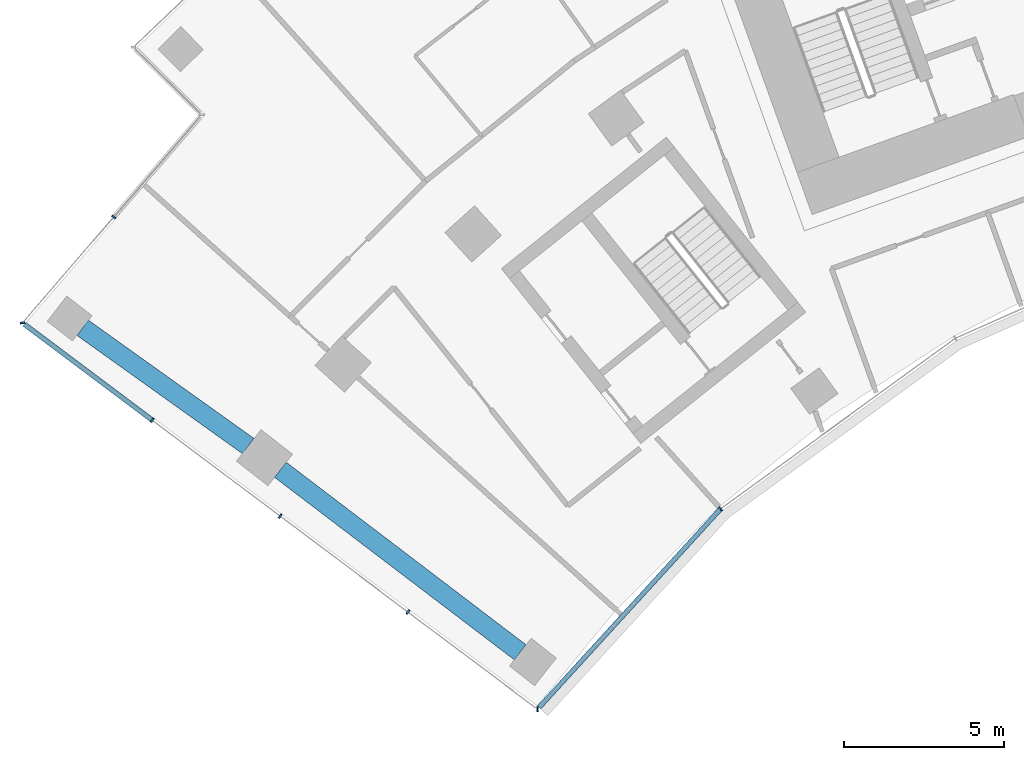
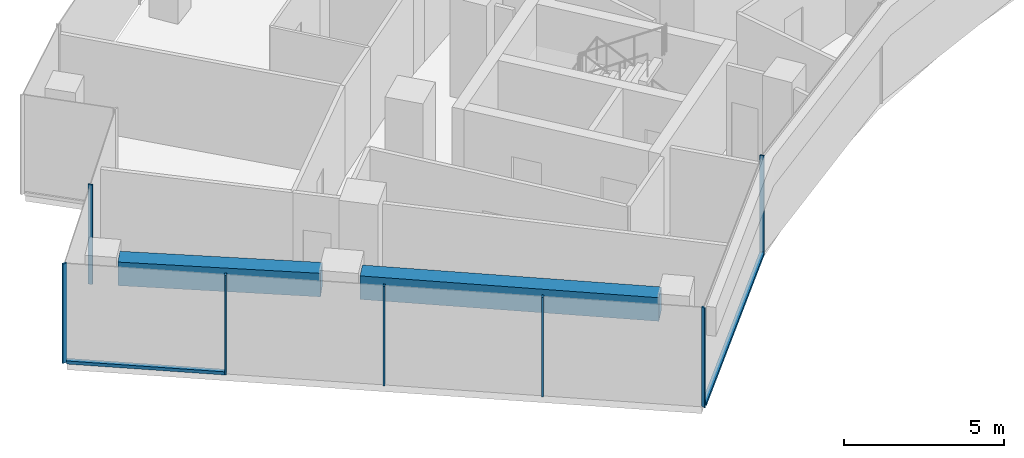
# One storey, part 2 of 21: 9 members, 2 beams, 3 elements without a shape of their own.
"""IFC4 building model written with IfcOpenShell, lengths in metres."""

from ifc_helpers import new_model, si_unit, direction, frame, origin, origin_2d, place, context, subcontext, project, spatial, rectangle, extrude, material, layer, layer_set, material_profile, profile_set, type_object, element, aggregate, save


model = new_model("IFC4")

# Units and contexts
model_context = context("Model", 3, precision=1e-05, world=origin(), true_north=direction((0.0, 1.0)))
body_context = subcontext(model_context, "Body", "Model", "MODEL_VIEW")
ifc_project = project(units=[si_unit("LENGTHUNIT", "METRE"), si_unit("AREAUNIT", "SQUARE_METRE"), si_unit("VOLUMEUNIT", "CUBIC_METRE"), si_unit("PLANEANGLEUNIT", "RADIAN"), si_unit("MASSUNIT", "GRAM", prefix="KILO")], contexts=[model_context])

# Site, building, storey
site_placement = place(None, origin())
site = spatial("IfcSite", under=ifc_project, at=site_placement, CompositionType="ELEMENT")
building_placement = place(site_placement, origin())
building = spatial("IfcBuilding", under=site, at=building_placement, Name="Stone Belt Terrace Tower", CompositionType="ELEMENT")
storey_placement = place(building_placement, frame((0.0, 0.0, 163.0)))
storey = spatial("IfcBuildingStorey", under=building, at=storey_placement, Name="L39", CompositionType="ELEMENT", Elevation=163.0)

# Curtain wall, members
ifc_material_1 = material(Name="Aluminium 6063-T6 anodised frame", Category="aluminium")
ifc_layer_1 = layer(ifc_material_1, 0.14990234375)
ifc_layer_set_1 = layer_set([ifc_layer_1], Name="CW-B unitised concave-face curtain wall")
curtain_wall_type_1 = type_object("IfcCurtainWallType", Name="CW-B unitised concave-face curtain wall", PredefinedType="NOTDEFINED", material=ifc_layer_set_1)
curtain_wall_1_placement = place(storey_placement, origin())
curtain_wall_1 = element("IfcCurtainWall", 1, at=curtain_wall_1_placement, inside=storey, type_object=curtain_wall_type_1, Name="CW-B concave face L39", PredefinedType="NOTDEFINED")
ifc_material_profile_1 = material_profile(ifc_material_1, rectangle(XDim=0.14990234375, YDim=0.050048828125, at=origin_2d()), Name="Aluminium 6063-T6 50x150")
ifc_profile_set_1 = profile_set([ifc_material_profile_1], Name="Aluminium 6063-T6 anodised frame")
member_type_1 = type_object("IfcMemberType", Name="CW-B mullion 50 x 150", PredefinedType="MULLION", material=ifc_profile_set_1)
member_1_placement = place(storey_placement, frame((-34.7900390625, 26.0, 0.0), z_axis=(0.0, 0.0, 1.0), x_axis=(-0.093180581986, 0.995649224949, 0.0)))
member_1 = element("IfcMember", 2, at=member_1_placement, type_object=member_type_1, Name="CW-B mullion 1", PredefinedType="MULLION", context=body_context, shape_type="SweptSolid", body=[
    extrude(rectangle(XDim=0.14990234375, YDim=0.050048828125, at=origin_2d()), origin(), (0.0, 0.0, 1.0), 3.800048828125),
])
member_2_placement = place(storey_placement, frame((-29.056884765625, 32.2705078125, 0.0), z_axis=(0.0, 0.0, 1.0), x_axis=(-0.666300886777, 0.745682994496, 0.0)))
member_2 = element("IfcMember", 3, at=member_2_placement, type_object=member_type_1, Name="CW-B mullion 2", PredefinedType="MULLION", context=body_context, shape_type="SweptSolid", body=[
    extrude(rectangle(XDim=0.14990234375, YDim=0.050048828125, at=origin_2d()), origin(), (0.0, 0.0, 1.0), 3.800048828125),
])
ifc_material_profile_2 = material_profile(ifc_material_1, rectangle(XDim=0.14990234375, YDim=0.1201171875, at=origin_2d()), Name="Aluminium 6063-T6 150x120")
ifc_profile_set_2 = profile_set([ifc_material_profile_2], Name="Aluminium 6063-T6 anodised frame")
member_type_2 = type_object("IfcMemberType", Name="CW-B transom 120 x 150", PredefinedType="USERDEFINED", material=ifc_profile_set_2)
member_3_placement = place(storey_placement, frame((-34.743408203125, 26.05078125, 0.06005859375), z_axis=(0.674757432231, 0.738039570517, 0.0), x_axis=(-0.738039570517, 0.674757432231, 0.0)))
member_3 = element("IfcMember", 4, at=member_3_placement, type_object=member_type_2, Name="CW-B transom 1.1", ObjectType="TRANSOM", PredefinedType="USERDEFINED", context=body_context, shape_type="SweptSolid", body=[
    extrude(rectangle(XDim=0.14990234375, YDim=0.1201171875, at=origin_2d()), origin(), (0.0, 0.0, 1.0), 8.39501953125),
])
aggregate(curtain_wall_1, [member_1, member_2, member_3])

# Curtain wall, member
ifc_layer_2 = layer(ifc_material_1, 0.14990234375)
ifc_layer_set_2 = layer_set([ifc_layer_2], Name="CW-C stick curtain wall, horn ends and notches")
curtain_wall_type_2 = type_object("IfcCurtainWallType", Name="CW-C stick curtain wall, horn ends and notches", PredefinedType="NOTDEFINED", material=ifc_layer_set_2)
curtain_wall_2_placement = place(storey_placement, origin())
curtain_wall_2 = element("IfcCurtainWall", 5, at=curtain_wall_2_placement, inside=storey, type_object=curtain_wall_type_2, Name="CW-C notch face L39", PredefinedType="NOTDEFINED")
ifc_material_profile_3 = material_profile(ifc_material_1, rectangle(XDim=0.14990234375, YDim=0.06005859375, at=origin_2d()), Name="Aluminium 6063-T6 60x150")
ifc_profile_set_3 = profile_set([ifc_material_profile_3], Name="Aluminium 6063-T6 anodised frame")
member_type_3 = type_object("IfcMemberType", Name="CW-C mullion 60 x 150", PredefinedType="MULLION", material=ifc_profile_set_3)
member_4_placement = place(storey_placement, frame((-48.05322265625, 41.40283203125, 0.0), z_axis=(0.0, 0.0, 1.0), x_axis=(0.757583847343, -0.652737860281, 0.0)))
member_4 = element("IfcMember", 6, at=member_4_placement, type_object=member_type_3, Name="CW-C mullion 2", PredefinedType="MULLION", context=body_context, shape_type="SweptSolid", body=[
    extrude(rectangle(XDim=0.14990234375, YDim=0.06005859375, at=origin_2d()), origin(), (0.0, 0.0, 1.0), 3.800048828125),
])
aggregate(curtain_wall_2, [member_4])

# Curtain wall, members
curtain_wall_3_placement = place(storey_placement, origin())
curtain_wall_3 = element("IfcCurtainWall", 7, at=curtain_wall_3_placement, inside=storey, type_object=curtain_wall_type_2, Name="CW-C end face L39", PredefinedType="NOTDEFINED")
member_5_placement = place(storey_placement, frame((-50.908447265625, 38.08935546875, 0.0), z_axis=(0.0, 0.0, 1.0), x_axis=(0.994169356535, 0.107829914807, 0.0)))
member_5 = element("IfcMember", 8, at=member_5_placement, type_object=member_type_3, Name="CW-C mullion 1", PredefinedType="MULLION", context=body_context, shape_type="SweptSolid", body=[
    extrude(rectangle(XDim=0.14990234375, YDim=0.06005859375, at=origin_2d()), origin(), (0.0, 0.0, 1.0), 3.800048828125),
])
member_6_placement = place(storey_placement, frame((-46.84423828125, 35.041015625, 0.0), z_axis=(0.0, 0.0, 1.0), x_axis=(0.600017992436, 0.799986505357, 0.0)))
member_6 = element("IfcMember", 9, at=member_6_placement, type_object=member_type_3, Name="CW-C mullion 2", PredefinedType="MULLION", context=body_context, shape_type="SweptSolid", body=[
    extrude(rectangle(XDim=0.14990234375, YDim=0.06005859375, at=origin_2d()), origin(), (0.0, 0.0, 1.0), 3.800048828125),
])
member_7_placement = place(storey_placement, frame((-42.84423828125, 32.041015625, 0.0), z_axis=(0.0, 0.0, 1.0), x_axis=(0.600017992436, 0.799986505357, 0.0)))
member_7 = element("IfcMember", 10, at=member_7_placement, type_object=member_type_3, Name="CW-C mullion 3", PredefinedType="MULLION", context=body_context, shape_type="SweptSolid", body=[
    extrude(rectangle(XDim=0.14990234375, YDim=0.06005859375, at=origin_2d()), origin(), (0.0, 0.0, 1.0), 3.800048828125),
])
member_8_placement = place(storey_placement, frame((-38.84423828125, 29.040771484375, 0.0), z_axis=(0.0, 0.0, 1.0), x_axis=(0.600017992436, 0.799986505357, 0.0)))
member_8 = element("IfcMember", 11, at=member_8_placement, type_object=member_type_3, Name="CW-C mullion 4", PredefinedType="MULLION", context=body_context, shape_type="SweptSolid", body=[
    extrude(rectangle(XDim=0.14990234375, YDim=0.06005859375, at=origin_2d()), origin(), (0.0, 0.0, 1.0), 3.800048828125),
])
ifc_material_profile_4 = material_profile(ifc_material_1, rectangle(XDim=0.14990234375, YDim=0.1201171875, at=origin_2d()), Name="Aluminium 6063-T6 150x120")
ifc_profile_set_4 = profile_set([ifc_material_profile_4], Name="Aluminium 6063-T6 anodised frame")
member_type_4 = type_object("IfcMemberType", Name="CW-C transom 120 x 150", PredefinedType="USERDEFINED", material=ifc_profile_set_4)
member_9_placement = place(storey_placement, frame((-50.84814453125, 38.044189453125, 0.06005859375), z_axis=(0.799988222323, -0.600015703248, 0.0), x_axis=(0.600015703248, 0.799988222323, 0.0)))
member_9 = element("IfcMember", 12, at=member_9_placement, type_object=member_type_4, Name="CW-C transom 1.1", ObjectType="TRANSOM", PredefinedType="USERDEFINED", context=body_context, shape_type="SweptSolid", body=[
    extrude(rectangle(XDim=0.14990234375, YDim=0.1201171875, at=origin_2d()), origin(), (0.0, 0.0, 1.0), 4.97509765625),
])
aggregate(curtain_wall_3, [member_5, member_6, member_7, member_8, member_9])

# Beams
ifc_material_2 = material(Name="Concrete B60", Category="concrete")
ifc_material_profile_5 = material_profile(ifc_material_2, rectangle(XDim=0.60009765625, YDim=0.89990234375, at=origin_2d()), Name="RC 600x900")
ifc_profile_set_5 = profile_set([ifc_material_profile_5], Name="Concrete B60")
beam_type = type_object("IfcBeamType", Name="Edge beam RC 600x900 B60", PredefinedType="SPANDREL", material=ifc_profile_set_5)
beam_1_placement = place(storey_placement, frame((-35.33203125, 27.779541015625, 3.030029296875), z_axis=(-0.795702028976, 0.605688270552, 0.0), x_axis=(-0.605688270552, -0.795702028976, 0.0)))
element("IfcBeam", 13, at=beam_1_placement, inside=storey, type_object=beam_type, Name="Edge beam L39 A P to Q", PredefinedType="SPANDREL", context=body_context, shape_type="SweptSolid", body=[
    extrude(rectangle(XDim=0.60009765625, YDim=0.89990234375, at=origin_2d()), origin(), (0.0, 0.0, 1.0), 9.430908203125),
])
beam_2_placement = place(storey_placement, frame((-43.842529296875, 34.23388671875, 3.030029296875), z_axis=(-0.813774908454, 0.581180177201, 0.0), x_axis=(-0.581180177201, -0.813774908454, 0.0)))
element("IfcBeam", 14, at=beam_2_placement, inside=storey, type_object=beam_type, Name="Edge beam L39 A Q to R", PredefinedType="SPANDREL", context=body_context, shape_type="SweptSolid", body=[
    extrude(rectangle(XDim=0.60009765625, YDim=0.89990234375, at=origin_2d()), origin(), (0.0, 0.0, 1.0), 6.369140625),
])

save(model, "model.ifc")
